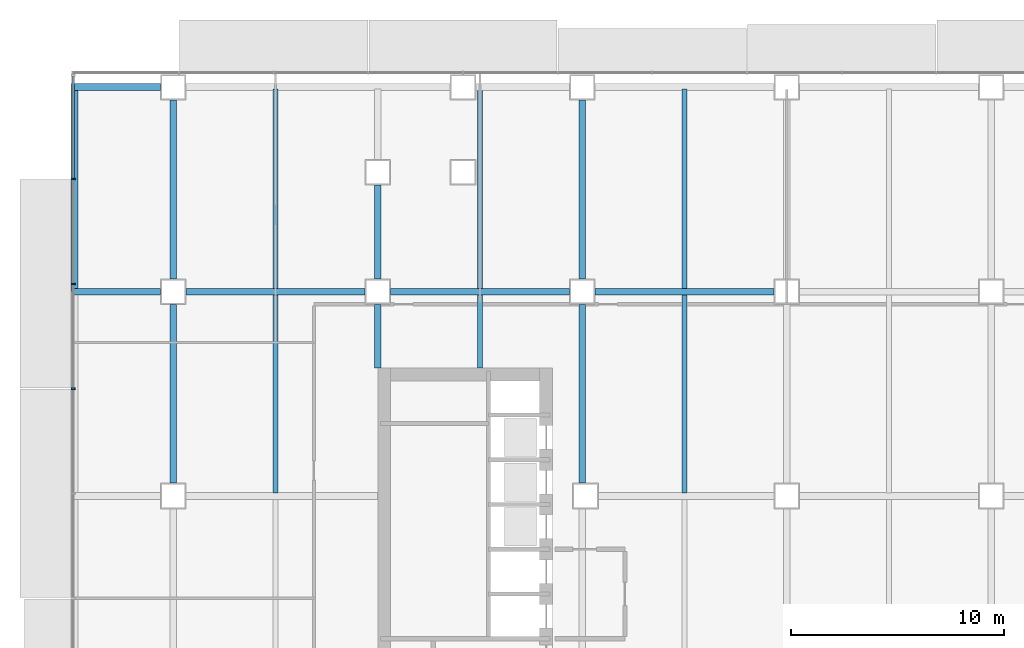
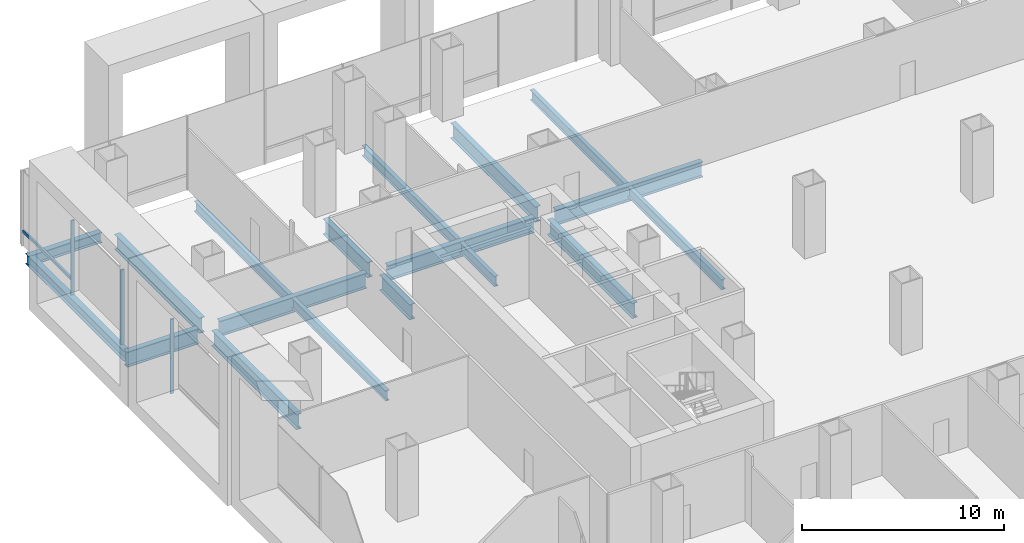
# One storey, part 6 of 23: 18 beams, 4 members, 1 element without a shape of its own.
"""IFC4 building model written with IfcOpenShell, lengths in metres."""

from ifc_helpers import new_model, si_unit, direction, frame, origin, origin_2d, place, context, subcontext, project, spatial, rectangle, i_section, extrude, material, material_profile, profile_set, type_object, element, aggregate, save


model = new_model("IFC4")

# Units and contexts
model_context = context("Model", 3, precision=1e-05, world=origin(), true_north=direction((0.0, 1.0)))
body_context = subcontext(model_context, "Body", "Model", "MODEL_VIEW")
ifc_project = project(units=[si_unit("LENGTHUNIT", "METRE"), si_unit("AREAUNIT", "SQUARE_METRE"), si_unit("VOLUMEUNIT", "CUBIC_METRE"), si_unit("PLANEANGLEUNIT", "RADIAN"), si_unit("MASSUNIT", "GRAM", prefix="KILO")], contexts=[model_context])

# Site, building, storey
site_placement = place(None, origin())
site = spatial("IfcSite", under=ifc_project, at=site_placement, CompositionType="ELEMENT")
building_placement = place(site_placement, origin())
building = spatial("IfcBuilding", under=site, at=building_placement, Name="Cobrizo Arcos Hotel Tower", CompositionType="ELEMENT")
storey_placement = place(building_placement, frame((0.0, 0.0, 24.5)))
storey = spatial("IfcBuildingStorey", under=building, at=storey_placement, Name="L04", CompositionType="ELEMENT", Elevation=24.5)

# Curtain wall, members
ifc_material_1 = material(Name="Aluminium 6063-T6 anodised bronze", Category="aluminium")
curtain_wall_type = type_object("IfcCurtainWallType", Name="CW-B podium glazing", PredefinedType="NOTDEFINED", material=ifc_material_1)
curtain_wall_placement = place(storey_placement, origin())
curtain_wall = element("IfcCurtainWall", 1, at=curtain_wall_placement, inside=storey, type_object=curtain_wall_type, Name="CW-B L04 W face", PredefinedType="NOTDEFINED")
ifc_material_profile_1 = material_profile(ifc_material_1, rectangle(XDim=0.199951171875, YDim=0.080078125, at=origin_2d()), Name="CW-B mullion 200x80")
ifc_profile_set_1 = profile_set([ifc_material_profile_1], Name="Aluminium 6063-T6 anodised bronze")
member_type_1 = type_object("IfcMemberType", Name="CW-B mullion 200x80", PredefinedType="MULLION", material=ifc_profile_set_1)
member_1_placement = place(storey_placement, frame((-38.300048828125, 19.679931640625, 0.0), z_axis=(0.0, 0.0, 1.0), x_axis=(-1.0, 0.0, 0.0)))
member_1 = element("IfcMember", 2, at=member_1_placement, type_object=member_type_1, Name="CW-B mullion 2", PredefinedType="MULLION", context=body_context, shape_type="SweptSolid", body=[
    extrude(rectangle(XDim=0.199951171875, YDim=0.080078125, at=origin_2d()), origin(), (0.0, 0.0, 1.0), 4.5),
])
member_2_placement = place(storey_placement, frame((-38.300048828125, 14.760009765625, 0.0), z_axis=(0.0, 0.0, 1.0), x_axis=(-1.0, 0.0, 0.0)))
member_2 = element("IfcMember", 3, at=member_2_placement, type_object=member_type_1, Name="CW-B mullion 3", PredefinedType="MULLION", context=body_context, shape_type="SweptSolid", body=[
    extrude(rectangle(XDim=0.199951171875, YDim=0.080078125, at=origin_2d()), origin(), (0.0, 0.0, 1.0), 4.5),
])
member_3_placement = place(storey_placement, frame((-38.300048828125, 9.840087890625, 0.0), z_axis=(0.0, 0.0, 1.0), x_axis=(-1.0, 0.0, 0.0)))
member_3 = element("IfcMember", 4, at=member_3_placement, type_object=member_type_1, Name="CW-B mullion 4", PredefinedType="MULLION", context=body_context, shape_type="SweptSolid", body=[
    extrude(rectangle(XDim=0.199951171875, YDim=0.080078125, at=origin_2d()), origin(), (0.0, 0.0, 1.0), 4.5),
])
ifc_material_profile_2 = material_profile(ifc_material_1, rectangle(XDim=0.1201171875, YDim=0.159912109375, at=origin_2d()), Name="CW-B transom 160x120")
ifc_profile_set_2 = profile_set([ifc_material_profile_2], Name="Aluminium 6063-T6 anodised bronze")
member_type_2 = type_object("IfcMemberType", Name="CW-B transom 160x120", PredefinedType="USERDEFINED", material=ifc_profile_set_2)
member_4_placement = place(storey_placement, frame((-38.300048828125, 24.52001953125, 0.89990234375), z_axis=(0.0, -1.0, 0.0), x_axis=(1.0, 0.0, 0.0)))
member_4 = element("IfcMember", 5, at=member_4_placement, type_object=member_type_2, Name="CW-B transom 242", ObjectType="TRANSOM", PredefinedType="USERDEFINED", context=body_context, shape_type="SweptSolid", body=[
    extrude(rectangle(XDim=0.1201171875, YDim=0.159912109375, at=origin_2d()), origin(), (0.0, 0.0, 1.0), 4.800048828125),
])
aggregate(curtain_wall, [member_1, member_2, member_3, member_4])

# Beams
ifc_material_2 = material(Name="Steel ASTM A992 Grade 50", Category="steel")
ifc_material_profile_3 = material_profile(ifc_material_2, i_section(OverallWidth=0.32763671875, OverallDepth=0.622314453125, WebThickness=0.015380859375, FlangeThickness=0.0244140625, at=origin_2d()), Name="W24X131")
ifc_profile_set_3 = profile_set([ifc_material_profile_3], Name="Steel ASTM A992 Grade 50")
beam_type_1 = type_object("IfcBeamType", Name="W24X131 edge beam", PredefinedType="BEAM", material=ifc_profile_set_3)
beam_1_placement = place(storey_placement, frame((-34.199951171875, 24.0, -0.51123046875), z_axis=(-1.0, 0.0, 0.0), x_axis=(0.0, -1.0, 0.0)))
element("IfcBeam", 6, at=beam_1_placement, inside=storey, type_object=beam_type_1, Name="Edge beam EB1, L04, no. 007", PredefinedType="BEAM", context=body_context, shape_type="SweptSolid", body=[
    extrude(i_section(OverallWidth=0.32763671875, OverallDepth=0.622314453125, WebThickness=0.015380859375, FlangeThickness=0.0244140625, at=origin_2d()), origin(), (0.0, 0.0, 1.0), 4.199951171875),
])
beam_2_placement = place(storey_placement, frame((-38.236083984375, 24.0, -0.51123046875), z_axis=(0.0, -1.0, 0.0), x_axis=(1.0, 0.0, 0.0)))
element("IfcBeam", 7, at=beam_2_placement, inside=storey, type_object=beam_type_1, Name="Edge beam EB1, L04, no. 008", PredefinedType="BEAM", context=body_context, shape_type="SweptSolid", body=[
    extrude(i_section(OverallWidth=0.32763671875, OverallDepth=0.622314453125, WebThickness=0.015380859375, FlangeThickness=0.0244140625, at=origin_2d()), origin(), (0.0, 0.0, 1.0), 9.60009765625),
])
ifc_material_profile_4 = material_profile(ifc_material_2, i_section(OverallWidth=0.23046875, OverallDepth=0.6171875, WebThickness=0.01318359375, FlangeThickness=0.022216796875, at=origin_2d()), Name="W24X94")
ifc_profile_set_4 = profile_set([ifc_material_profile_4], Name="Steel ASTM A992 Grade 50")
beam_type_2 = type_object("IfcBeamType", Name="W24X94 podium joist", PredefinedType="JOIST", material=ifc_profile_set_4)
beam_3_placement = place(storey_placement, frame((-28.800048828125, 4.95361328125, -0.508544921875), z_axis=(0.0, 1.0, 0.0), x_axis=(-1.0, 0.0, 0.0)))
element("IfcBeam", 8, at=beam_3_placement, inside=storey, type_object=beam_type_2, Name="Podium joist PJ1, L04, no. 004", PredefinedType="JOIST", context=body_context, shape_type="SweptSolid", body=[
    extrude(i_section(OverallWidth=0.23046875, OverallDepth=0.6171875, WebThickness=0.01318359375, FlangeThickness=0.022216796875, at=origin_2d()), origin(), (0.0, 0.0, 1.0), 9.292724609375),
])
beam_4_placement = place(storey_placement, frame((-28.800048828125, 14.5537109375, -0.508544921875), z_axis=(0.0, 1.0, 0.0), x_axis=(-1.0, 0.0, 0.0)))
element("IfcBeam", 9, at=beam_4_placement, inside=storey, type_object=beam_type_2, Name="Podium joist PJ1, L04, no. 005", PredefinedType="JOIST", context=body_context, shape_type="SweptSolid", body=[
    extrude(i_section(OverallWidth=0.23046875, OverallDepth=0.6171875, WebThickness=0.01318359375, FlangeThickness=0.022216796875, at=origin_2d()), origin(), (0.0, 0.0, 1.0), 9.356201171875),
])
beam_5_placement = place(storey_placement, frame((-19.199951171875, 10.81005859375, -0.508544921875), z_axis=(0.0, 1.0, 0.0), x_axis=(-1.0, 0.0, 0.0)))
element("IfcBeam", 10, at=beam_5_placement, inside=storey, type_object=beam_type_2, Name="Podium joist PJ1, L04, no. 008", PredefinedType="JOIST", context=body_context, shape_type="SweptSolid", body=[
    extrude(i_section(OverallWidth=0.23046875, OverallDepth=0.6171875, WebThickness=0.01318359375, FlangeThickness=0.022216796875, at=origin_2d()), origin(), (0.0, 0.0, 1.0), 3.436279296875),
])
beam_6_placement = place(storey_placement, frame((-19.199951171875, 14.5537109375, -0.508544921875), z_axis=(0.0, 1.0, 0.0), x_axis=(-1.0, 0.0, 0.0)))
element("IfcBeam", 11, at=beam_6_placement, inside=storey, type_object=beam_type_2, Name="Podium joist PJ1, L04, no. 009", PredefinedType="JOIST", context=body_context, shape_type="SweptSolid", body=[
    extrude(i_section(OverallWidth=0.23046875, OverallDepth=0.6171875, WebThickness=0.01318359375, FlangeThickness=0.022216796875, at=origin_2d()), origin(), (0.0, 0.0, 1.0), 9.356201171875),
])
beam_7_placement = place(storey_placement, frame((-9.60009765625, 4.95361328125, -0.508544921875), z_axis=(0.0, 1.0, 0.0), x_axis=(-1.0, 0.0, 0.0)))
element("IfcBeam", 12, at=beam_7_placement, inside=storey, type_object=beam_type_2, Name="Podium joist PJ1, L04, no. 013", PredefinedType="JOIST", context=body_context, shape_type="SweptSolid", body=[
    extrude(i_section(OverallWidth=0.23046875, OverallDepth=0.6171875, WebThickness=0.01318359375, FlangeThickness=0.022216796875, at=origin_2d()), origin(), (0.0, 0.0, 1.0), 9.292724609375),
])
beam_8_placement = place(storey_placement, frame((-9.60009765625, 14.5537109375, -0.508544921875), z_axis=(0.0, 1.0, 0.0), x_axis=(-1.0, 0.0, 0.0)))
element("IfcBeam", 13, at=beam_8_placement, inside=storey, type_object=beam_type_2, Name="Podium joist PJ1, L04, no. 014", PredefinedType="JOIST", context=body_context, shape_type="SweptSolid", body=[
    extrude(i_section(OverallWidth=0.23046875, OverallDepth=0.6171875, WebThickness=0.01318359375, FlangeThickness=0.022216796875, at=origin_2d()), origin(), (0.0, 0.0, 1.0), 9.356201171875),
])
ifc_material_profile_5 = material_profile(ifc_material_2, i_section(OverallWidth=0.307373046875, OverallDepth=0.927001953125, WebThickness=0.01953125, FlangeThickness=0.031982421875, at=origin_2d()), Name="W36X194")
ifc_profile_set_5 = profile_set([ifc_material_profile_5], Name="Steel ASTM A992 Grade 50")
beam_type_3 = type_object("IfcBeamType", Name="W36X194 podium girder", PredefinedType="BEAM", material=ifc_profile_set_5)
beam_9_placement = place(storey_placement, frame((-38.31005859375, 14.39990234375, -0.66357421875), z_axis=(1.0, 0.0, 0.0), x_axis=(0.0, 1.0, 0.0)))
element("IfcBeam", 14, at=beam_9_placement, inside=storey, type_object=beam_type_3, Name="Podium girder PG1, L04, no. 026", PredefinedType="BEAM", context=body_context, shape_type="SweptSolid", body=[
    extrude(i_section(OverallWidth=0.307373046875, OverallDepth=0.927001953125, WebThickness=0.01953125, FlangeThickness=0.031982421875, at=origin_2d()), origin(), (0.0, 0.0, 1.0), 4.110107421875),
])
for number, where, z_axis, x_axis, name in (
    (15, (-33.0, 14.39990234375, -0.66357421875), (1.0, 0.0, 0.0), (0.0, 1.0, 0.0), "Podium girder PG1, L04, no. 027"),
    (16, (-23.39990234375, 14.39990234375, -0.66357421875), (1.0, 0.0, 0.0), (0.0, 1.0, 0.0), "Podium girder PG1, L04, no. 028"),
):
    element("IfcBeam", number, at=place(storey_placement, frame(where, z_axis=z_axis, x_axis=x_axis)), inside=storey, type_object=beam_type_3, Name=name, PredefinedType="BEAM", context=body_context, shape_type="SweptSolid", body=[
        extrude(i_section(OverallWidth=0.307373046875, OverallDepth=0.927001953125, WebThickness=0.01953125, FlangeThickness=0.031982421875, at=origin_2d()), origin(), (0.0, 0.0, 1.0), 8.39990234375),
    ])
for number, where, z_axis, x_axis, name in (
    (17, (-13.800048828125, 14.39990234375, -0.66357421875), (1.0, 0.0, 0.0), (0.0, 1.0, 0.0), "Podium girder PG1, L04, no. 029"),
    (18, (-33.60009765625, 5.39990234375, -0.66357421875), (0.0, 1.0, 0.0), (-1.0, 0.0, 0.0), "Podium girder PG1, L04, no. 038"),
):
    element("IfcBeam", number, at=place(storey_placement, frame(where, z_axis=z_axis, x_axis=x_axis)), inside=storey, type_object=beam_type_3, Name=name, PredefinedType="BEAM", context=body_context, shape_type="SweptSolid", body=[
        extrude(i_section(OverallWidth=0.307373046875, OverallDepth=0.927001953125, WebThickness=0.01953125, FlangeThickness=0.031982421875, at=origin_2d()), origin(), (0.0, 0.0, 1.0), 8.400146484375),
    ])
beam_10_placement = place(storey_placement, frame((-33.60009765625, 15.0, -0.66357421875), z_axis=(0.0, 1.0, 0.0), x_axis=(-1.0, 0.0, 0.0)))
element("IfcBeam", 19, at=beam_10_placement, inside=storey, type_object=beam_type_3, Name="Podium girder PG1, L04, no. 039", PredefinedType="BEAM", context=body_context, shape_type="SweptSolid", body=[
    extrude(i_section(OverallWidth=0.307373046875, OverallDepth=0.927001953125, WebThickness=0.01953125, FlangeThickness=0.031982421875, at=origin_2d()), origin(), (0.0, 0.0, 1.0), 8.39990234375),
])
beam_11_placement = place(storey_placement, frame((-24.0, 10.81005859375, -0.66357421875), z_axis=(0.0, 1.0, 0.0), x_axis=(-1.0, 0.0, 0.0)))
element("IfcBeam", 20, at=beam_11_placement, inside=storey, type_object=beam_type_3, Name="Podium girder PG1, L04, no. 043", PredefinedType="BEAM", context=body_context, shape_type="SweptSolid", body=[
    extrude(i_section(OverallWidth=0.307373046875, OverallDepth=0.927001953125, WebThickness=0.01953125, FlangeThickness=0.031982421875, at=origin_2d()), origin(), (0.0, 0.0, 1.0), 2.989990234375),
])
beam_12_placement = place(storey_placement, frame((-24.0, 15.0, -0.66357421875), z_axis=(0.0, 1.0, 0.0), x_axis=(-1.0, 0.0, 0.0)))
element("IfcBeam", 21, at=beam_12_placement, inside=storey, type_object=beam_type_3, Name="Podium girder PG1, L04, no. 044", PredefinedType="BEAM", context=body_context, shape_type="SweptSolid", body=[
    extrude(i_section(OverallWidth=0.307373046875, OverallDepth=0.927001953125, WebThickness=0.01953125, FlangeThickness=0.031982421875, at=origin_2d()), origin(), (0.0, 0.0, 1.0), 4.39990234375),
])
beam_13_placement = place(storey_placement, frame((-14.39990234375, 5.39990234375, -0.66357421875), z_axis=(0.0, 1.0, 0.0), x_axis=(-1.0, 0.0, 0.0)))
element("IfcBeam", 22, at=beam_13_placement, inside=storey, type_object=beam_type_3, Name="Podium girder PG1, L04, no. 049", PredefinedType="BEAM", context=body_context, shape_type="SweptSolid", body=[
    extrude(i_section(OverallWidth=0.307373046875, OverallDepth=0.927001953125, WebThickness=0.01953125, FlangeThickness=0.031982421875, at=origin_2d()), origin(), (0.0, 0.0, 1.0), 8.400146484375),
])
beam_14_placement = place(storey_placement, frame((-14.39990234375, 15.0, -0.66357421875), z_axis=(0.0, 1.0, 0.0), x_axis=(-1.0, 0.0, 0.0)))
element("IfcBeam", 23, at=beam_14_placement, inside=storey, type_object=beam_type_3, Name="Podium girder PG1, L04, no. 050", PredefinedType="BEAM", context=body_context, shape_type="SweptSolid", body=[
    extrude(i_section(OverallWidth=0.307373046875, OverallDepth=0.927001953125, WebThickness=0.01953125, FlangeThickness=0.031982421875, at=origin_2d()), origin(), (0.0, 0.0, 1.0), 8.39990234375),
])

save(model, "model.ifc")
